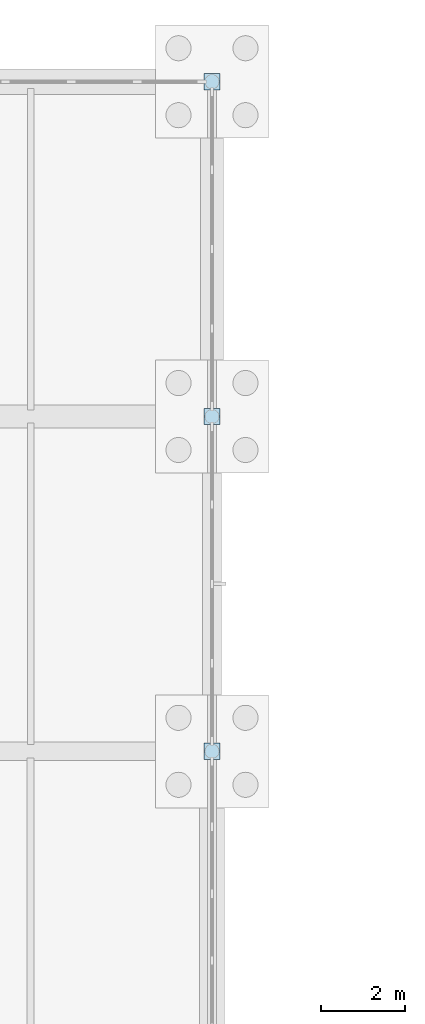
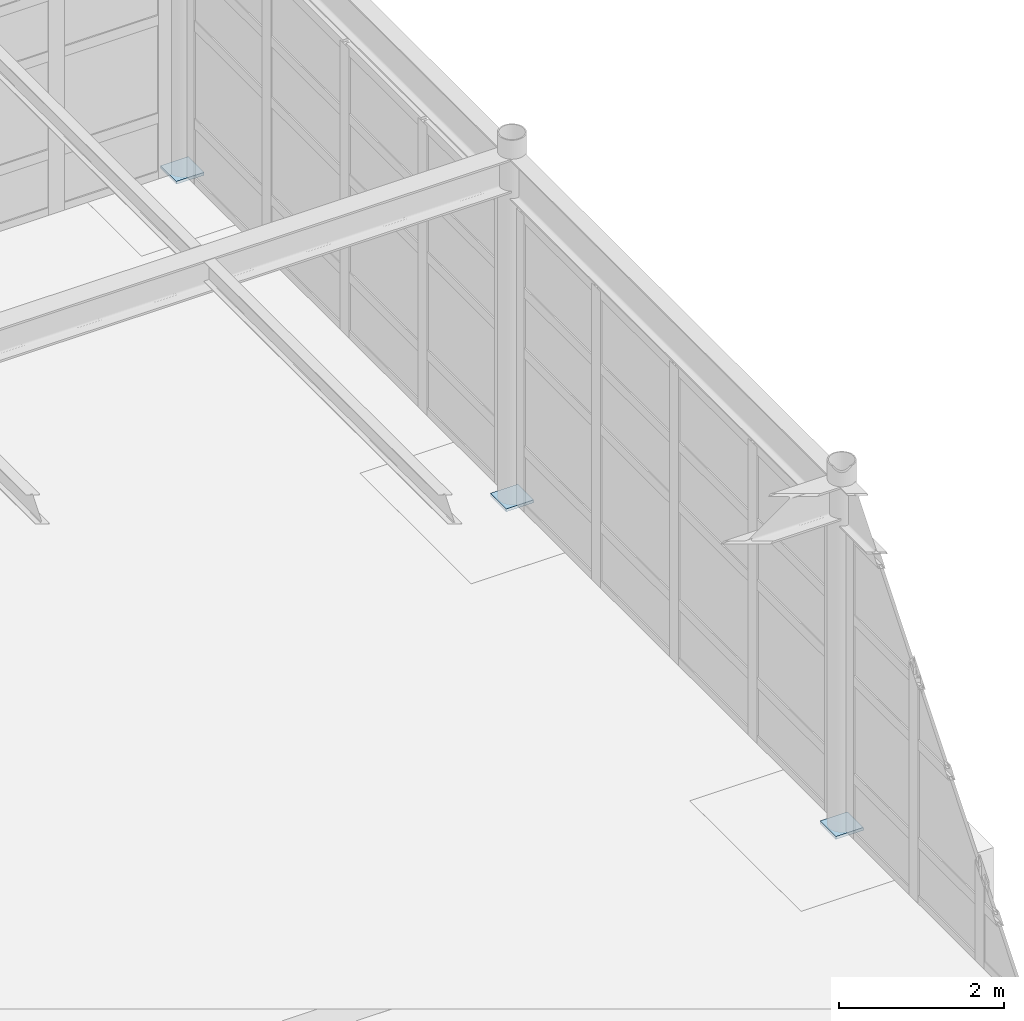
# One storey, part 119 of 145: 3 plates.
"""IFC4 building model written with IfcOpenShell, lengths in metres."""

import ifcopenshell
import ifcopenshell.guid

model = None  # the IFC model being written
_history = None  # IfcOwnerHistory: only IFC2X3 demands one
_inside = {}  # id of a spatial element -> (the spatial element, [elements in it])
_under = {}  # id of a project, library or spatial element -> (it, [spatial elements below it])
_declared = {}  # id of a project -> (the project, [libraries it declares])
_typed = {}  # id of a type object -> (the type object, [elements of that type])
_made_of = {}  # id of a material, layer set ... -> (it, [elements and type objects made of it])


def new_model(schema):
    """Start an empty IFC model of exactly this schema.

    Asked for "IFC4X3", IfcOpenShell would pick the latest addendum, in which some entities
    have other attributes; the version numbers below select the first issue.
    IFC2X3 requires an IfcOwnerHistory on every rooted entity: one is made here for all.
    """
    global model, _history
    if schema == "IFC4X3":
        model = ifcopenshell.file(schema_version=(4, 3, 0, 0))
    else:
        model = ifcopenshell.file(schema=schema)
    _inside.clear()
    _under.clear()
    _declared.clear()
    _typed.clear()
    _made_of.clear()
    _history = None
    if model.schema == "IFC2X3":
        org = make("IfcOrganization", Name="unknown")
        user = make(
            "IfcPersonAndOrganization",
            ThePerson=make("IfcPerson", FamilyName="unknown"),
            TheOrganization=org,
        )
        app = make(
            "IfcApplication",
            ApplicationDeveloper=org,
            Version="unknown",
            ApplicationFullName="unknown",
            ApplicationIdentifier="unknown",
        )
        _history = make(
            "IfcOwnerHistory",
            OwningUser=user,
            OwningApplication=app,
            ChangeAction="ADDED",
            CreationDate=0,
        )
    return model


def make(cls, **values):
    """One entity of the class cls with the attributes given. An attribute that is None is left unset."""
    return model.create_entity(
        cls, **{name: value for name, value in values.items() if value is not None}
    )


def rooted(cls, **values):
    """An entity with a GlobalId (a new one), such as an element, a storey or a relation."""
    return make(cls, GlobalId=ifcopenshell.guid.new(), OwnerHistory=_history, **values)


def si_unit(unit_type, name, prefix=None):
    """IfcSIUnit, for example si_unit("LENGTHUNIT", "METRE", prefix="MILLI")."""
    return make("IfcSIUnit", UnitType=unit_type, Prefix=prefix, Name=name)


def assignment(units):
    """IfcUnitAssignment: the units of a project."""
    return None if units is None else make("IfcUnitAssignment", Units=units)


def point(xyz):
    """IfcCartesianPoint."""
    return None if xyz is None else make("IfcCartesianPoint", Coordinates=xyz)


def direction(xyz):
    """IfcDirection."""
    return None if xyz is None else make("IfcDirection", DirectionRatios=xyz)


def frame(location, z_axis=None, x_axis=None):
    """IfcAxis2Placement3D, a coordinate frame: its origin and axes. An axis left out is left unset."""
    return make(
        "IfcAxis2Placement3D",
        Location=point(location),
        Axis=direction(z_axis),
        RefDirection=direction(x_axis),
    )


def frame_2d(location, x_axis=None):
    """IfcAxis2Placement2D, a coordinate frame in the plane: its origin and x axis."""
    return make(
        "IfcAxis2Placement2D", Location=point(location), RefDirection=direction(x_axis)
    )


def origin():
    """The frame at (0, 0, 0) with its axes left unset."""
    return frame((0.0, 0.0, 0.0))


def origin_2d():
    """The frame at (0, 0) in the plane with its x axis left unset."""
    return frame_2d((0.0, 0.0))


def place(relative_to, where):
    """IfcLocalPlacement: puts the frame where relative to a parent placement (None: the world)."""
    return make(
        "IfcLocalPlacement", PlacementRelTo=relative_to, RelativePlacement=where
    )


def context(
    kind, dimensions, precision=None, world=None, true_north=None, identifier=None
):
    """IfcGeometricRepresentationContext, for example the 3D "Model" context."""
    return make(
        "IfcGeometricRepresentationContext",
        ContextIdentifier=identifier,
        ContextType=kind,
        CoordinateSpaceDimension=dimensions,
        Precision=precision,
        WorldCoordinateSystem=world,
        TrueNorth=true_north,
    )


def subcontext(parent, identifier, kind, view, scale=None):
    """IfcGeometricRepresentationSubContext, for example "Body" below "Model"."""
    return make(
        "IfcGeometricRepresentationSubContext",
        ContextIdentifier=identifier,
        ContextType=kind,
        ParentContext=parent,
        TargetScale=scale,
        TargetView=view,
    )


def project(units=None, contexts=None):
    """IfcProject with its units and contexts."""
    return rooted(
        "IfcProject",
        Name="project",
        RepresentationContexts=contexts,
        UnitsInContext=assignment(units),
    )


def spatial(cls, under=None, at=None, **own):
    """A site, building, storey or space (cls), placed at a placement, below another one or the project."""
    s = rooted(cls, ObjectPlacement=at, **own)
    if under is not None:
        _under.setdefault(under.id(), (under, []))[1].append(s)
    return s


def profile(cls, at=None, kind="AREA", **sizes):
    """A parametric profile (cls). Its sizes go by their IFC names, for example OverallWidth=200.0."""
    return make(cls, ProfileType=kind, Position=at, **sizes)


def rectangle(**sizes):
    """IfcRectangleProfileDef."""
    return profile("IfcRectangleProfileDef", **sizes)


def extrude(swept, where, along, depth):
    """IfcExtrudedAreaSolid: the profile swept, set in the frame where, extruded along a direction by depth."""
    return make(
        "IfcExtrudedAreaSolid",
        SweptArea=swept,
        Position=where,
        ExtrudedDirection=direction(along),
        Depth=depth,
    )


def shape(context_of_items, identifier, shape_type, items):
    """IfcShapeRepresentation: the items that make up one representation, for example the "Body"."""
    return make(
        "IfcShapeRepresentation",
        ContextOfItems=context_of_items,
        RepresentationIdentifier=identifier,
        RepresentationType=shape_type,
        Items=items,
    )


def material(Name=None, Category=None):
    """IfcMaterial."""
    return make("IfcMaterial", Name=Name, Category=Category)


def layer(
    of_material, thickness, ventilated=None, Name=None, Category=None, Priority=None
):
    """IfcMaterialLayer: one layer of a wall or slab, of a material (None: an air gap)."""
    return make(
        "IfcMaterialLayer",
        Material=of_material,
        LayerThickness=thickness,
        IsVentilated=ventilated,
        Name=Name,
        Category=Category,
        Priority=Priority,
    )


def layer_set(layers, Name=None):
    """IfcMaterialLayerSet."""
    return make("IfcMaterialLayerSet", MaterialLayers=layers, LayerSetName=Name)


def made_of(thing, what):
    """Note that an element or type object is made of a material, layer set ...; save() writes the relation."""
    if what is not None:
        _made_of.setdefault(what.id(), (what, []))[1].append(thing)
    return thing


def type_object(cls, material=None, **own):
    """A type object (cls), such as IfcWallType, which elements share."""
    return made_of(rooted(cls, **own), material)


def element(
    cls,
    number,
    at=None,
    inside=None,
    cuts=None,
    type_object=None,
    material=None,
    context=None,
    identifier="Body",
    shape_type=None,
    held_by="IfcProductDefinitionShape",
    body=None,
    shapes=None,
    **own,
):
    """One element of the class cls, such as IfcWall. Its Tag is "e" and its number.

    at: its placement. inside: the storey or other place that contains it. cuts: it is an
    opening in that element (IfcRelVoidsElement). A single representation is given by context,
    identifier, shape_type and body (its items); several are given by shapes. held_by: the class
    of the entity that holds the representations. save() writes the other relations.
    """
    e = rooted(cls, Tag="e%d" % number, ObjectPlacement=at, **own)
    if body is not None:
        shapes = [shape(context, identifier, shape_type, body)]
    if shapes is not None:
        e.Representation = make(held_by, Representations=shapes)
    if inside is not None:
        _inside.setdefault(inside.id(), (inside, []))[1].append(e)
    if cuts is not None:
        rooted(
            "IfcRelVoidsElement", RelatingBuildingElement=cuts, RelatedOpeningElement=e
        )
    if type_object is not None:
        _typed.setdefault(type_object.id(), (type_object, []))[1].append(e)
    return made_of(e, material)


def aggregate(whole, parts):
    """IfcRelAggregates: a whole, such as a stair, and the parts it consists of."""
    return rooted("IfcRelAggregates", RelatingObject=whole, RelatedObjects=parts)


def save(model, path):
    """Write the relations noted so far, then the file.

    IfcRelAggregates (storeys below a building ...), IfcRelContainedInSpatialStructure (elements
    in a storey), IfcRelDefinesByType, IfcRelAssociatesMaterial and IfcRelDeclares: one each for
    every whole, place, type object, material and project.
    """
    for whole, parts in _under.values():
        aggregate(whole, parts)
    for where, things in _inside.values():
        rooted(
            "IfcRelContainedInSpatialStructure",
            RelatedElements=things,
            RelatingStructure=where,
        )
    for kind, things in _typed.values():
        rooted("IfcRelDefinesByType", RelatedObjects=things, RelatingType=kind)
    for what, things in _made_of.values():
        rooted("IfcRelAssociatesMaterial", RelatedObjects=things, RelatingMaterial=what)
    for by, libraries in _declared.values():
        rooted("IfcRelDeclares", RelatingContext=by, RelatedDefinitions=libraries)
    model.write(path)


model = new_model("IFC4")

# Units and contexts
model_context = context("Model", 3, precision=1e-05, world=origin(), true_north=direction((0.0, 1.0)))
body_context = subcontext(model_context, "Body", "Model", "MODEL_VIEW")
ifc_project = project(units=[si_unit("LENGTHUNIT", "METRE"), si_unit("AREAUNIT", "SQUARE_METRE"), si_unit("VOLUMEUNIT", "CUBIC_METRE"), si_unit("PLANEANGLEUNIT", "RADIAN"), si_unit("MASSUNIT", "GRAM", prefix="KILO"), si_unit("THERMODYNAMICTEMPERATUREUNIT", "KELVIN"), si_unit("POWERUNIT", "WATT")], contexts=[model_context])

# Site, building, storey
site_placement = place(None, origin())
site = spatial("IfcSite", under=ifc_project, at=site_placement, CompositionType="ELEMENT")
building_placement = place(site_placement, origin())
building = spatial("IfcBuilding", under=site, at=building_placement, Name="Korenveer Ferry Terminal", CompositionType="ELEMENT")
storey_placement = place(building_placement, origin())
storey = spatial("IfcBuildingStorey", under=building, at=storey_placement, Name="L00", CompositionType="ELEMENT", Elevation=0.0)

# Plates
ifc_material = material(Name="Steel S355", Category="steel")
ifc_layer = layer(ifc_material, 0.0419921875)
ifc_layer_set = layer_set([ifc_layer], Name="Steel S355")
plate_type = type_object("IfcPlateType", Name="STR-PLT-CAP42", PredefinedType="USERDEFINED", material=ifc_layer_set)
for number, where, z_axis, x_axis, name in (
    (1, (136.0, 100.0, -0.0419921875), (0.0, 0.0, 1.0), (1.0, 0.0, 0.0), "Hollow section end cap 44"),
    (2, (136.0, 108.0, -0.0419921875), (0.0, 0.0, 1.0), (1.0, 0.0, 0.0), "Hollow section end cap 45"),
    (3, (136.0, 116.0, -0.0419921875), (0.0, 0.0, 1.0), (1.0, 0.0, 0.0), "Hollow section end cap 46"),
):
    element("IfcPlate", number, at=place(storey_placement, frame(where, z_axis=z_axis, x_axis=x_axis)), inside=storey, type_object=plate_type, Name=name, ObjectType="END CAP PLATE", PredefinedType="USERDEFINED", context=body_context, shape_type="SweptSolid", body=[
        extrude(rectangle(XDim=0.385498046875, YDim=0.385498046875, at=origin_2d()), origin(), (0.0, 0.0, 1.0), 0.0419921875),
    ])

save(model, "model.ifc")
